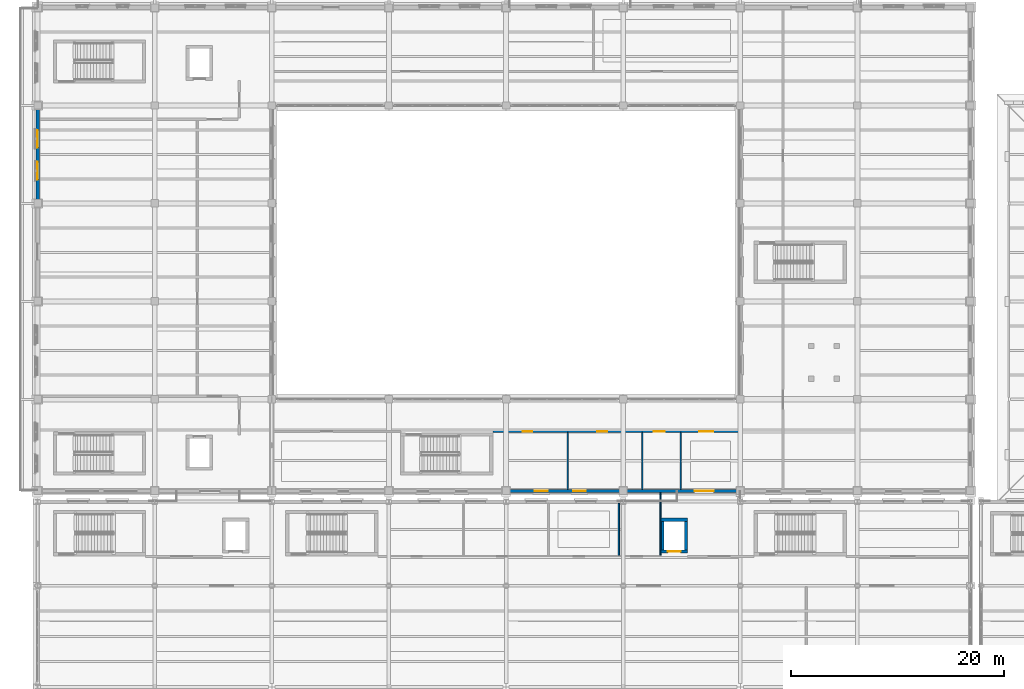
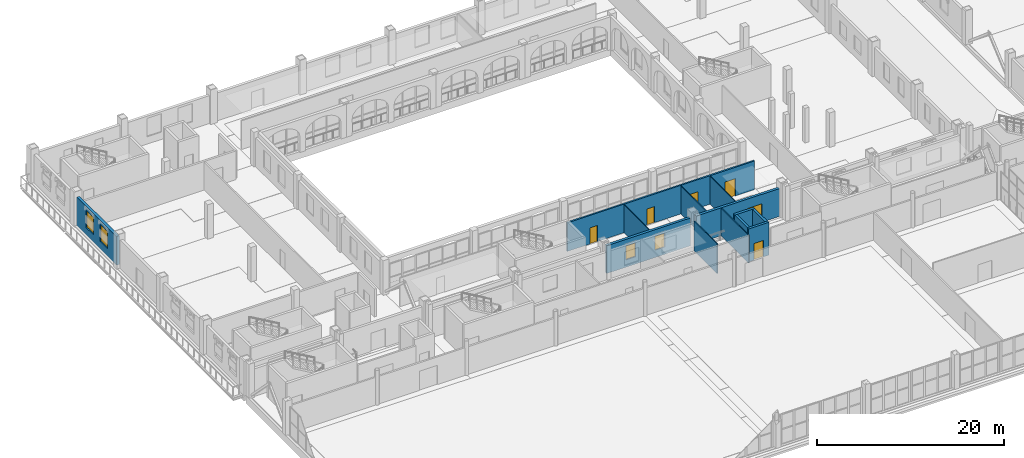
# One storey, part 123 of 156: 13 walls, 6 doors, 4 windows, 10 openings.
"""IFC4 building model written with IfcOpenShell, lengths in metres."""

from ifc_helpers import new_model, si_unit, direction, frame, frame_2d, origin, place, context, subcontext, project, spatial, rectangle, extrude, material, layer, layer_set, type_object, element, fill, save


model = new_model("IFC4")

# Units and contexts
model_context = context("Model", 3, precision=1e-05, world=origin(), true_north=direction((0.0, 1.0)))
body_context = subcontext(model_context, "Body", "Model", "MODEL_VIEW")
ifc_project = project(units=[si_unit("LENGTHUNIT", "METRE"), si_unit("AREAUNIT", "SQUARE_METRE"), si_unit("VOLUMEUNIT", "CUBIC_METRE"), si_unit("PLANEANGLEUNIT", "RADIAN"), si_unit("MASSUNIT", "GRAM", prefix="KILO")], contexts=[model_context])

# Site, building, storey
site_placement = place(None, origin())
site = spatial("IfcSite", under=ifc_project, at=site_placement, CompositionType="ELEMENT")
building_placement = place(site_placement, origin())
building = spatial("IfcBuilding", under=site, at=building_placement, Name="Caurita Quay Ferry Terminal", CompositionType="ELEMENT")
storey_placement = place(building_placement, frame((0.0, 0.0, 5.39990234375)))
storey = spatial("IfcBuildingStorey", under=building, at=storey_placement, Name="L01", CompositionType="ELEMENT", Elevation=5.39990234375)

# Wall, opening, door
ifc_material_1 = material(Name="Reinforced concrete C35/45", Category="concrete")
ifc_layer_1 = layer(ifc_material_1, 0.300048828125, Name="Interior shear wall 300 mm")
ifc_layer_set_1 = layer_set([ifc_layer_1], Name="Reinforced concrete C35/45")
wall_type_1 = type_object("IfcWallType", Name="WL-CORE-300", PredefinedType="SHEAR", material=ifc_layer_set_1)
wall_1_placement = place(storey_placement, frame((58.554931640625, 65.905029296875, 0.0), z_axis=(0.0, 0.0, 1.0), x_axis=(1.0, 0.0, 0.0)))
wall_1 = element("IfcWall", 1, at=wall_1_placement, inside=storey, type_object=wall_type_1, Name="L01 Lift LP-02 Shaft Wall South", PredefinedType="SHEAR", context=body_context, shape_type="SweptSolid", body=[
    extrude(rectangle(XDim=2.489990234375, YDim=0.300048828125, at=frame_2d((1.2451171875, 0.0))), origin(), (0.0, 0.0, 1.0), 4.280029296875),
])
opening_1_placement = place(wall_1_placement, frame((0.64501953125, 0.0, 0.0)))
opening_1 = element("IfcOpeningElement", 2, at=opening_1_placement, cuts=wall_1, Name="Opening LD-02", PredefinedType="OPENING", context=body_context, shape_type="SweptSolid", body=[
    extrude(rectangle(XDim=1.199951171875, YDim=2.14990234375, at=frame_2d((0.60009765625, 1.074951171875))), frame((0.0, 0.159912109375, 0.0), z_axis=(0.0, -1.0, 0.0), x_axis=(1.0, 0.0, 0.0)), (0.0, 0.0, 1.0), 0.320068359375),
])
ifc_material_2 = material(Name="Bronze architectural metalwork", Category="metal")
door_type_1 = type_object("IfcDoorType", Name="DR-LD-02", OperationType="DOUBLE_DOOR_SLIDING", PredefinedType="DOOR", material=ifc_material_2)
door_1_placement = place(opening_1_placement, frame((1.199951171875, 0.0, 0.0), z_axis=(0.0, 0.0, 1.0), x_axis=(-1.0, 0.0, 0.0)))
door_1 = element("IfcDoor", 3, at=door_1_placement, inside=storey, type_object=door_type_1, Name="L01 Lift LP-02 Sliding Landing Door", OperationType="DOUBLE_DOOR_SLIDING", OverallHeight=2.14990234375, OverallWidth=1.199951171875, PredefinedType="DOOR", context=body_context, shape_type="SweptSolid", body=[
    extrude(rectangle(XDim=1.199951171875, YDim=2.14990234375, at=frame_2d((0.60009765625, 1.074951171875))), frame((0.0, 0.02490234375, 0.0), z_axis=(0.0, -1.0, 0.0), x_axis=(1.0, 0.0, 0.0)), (0.0, 0.0, 1.0), 0.050048828125),
])
fill(opening_1, door_1)

# Walls
wall_2_placement = place(storey_placement, frame((61.044921875, 68.89501953125, 0.0), z_axis=(0.0, 0.0, 1.0), x_axis=(-1.0, 0.0, 0.0)))
element("IfcWall", 4, at=wall_2_placement, inside=storey, type_object=wall_type_1, Name="L01 Lift LP-02 Shaft Wall North", PredefinedType="SHEAR", context=body_context, shape_type="SweptSolid", body=[
    extrude(rectangle(XDim=2.489990234375, YDim=0.300048828125, at=frame_2d((1.2451171875, 0.0))), origin(), (0.0, 0.0, 1.0), 4.280029296875),
])
for number, where, z_axis, x_axis, name in (
    (5, (58.705078125, 68.7451171875, 0.0), (0.0, 0.0, 1.0), (0.0, -1.0, 0.0), "L01 Lift LP-02 Shaft Wall West"),
    (6, (60.89501953125, 66.054931640625, 0.0), (0.0, 0.0, 1.0), (0.0, 1.0, 0.0), "L01 Lift LP-02 Shaft Wall East"),
):
    element("IfcWall", number, at=place(storey_placement, frame(where, z_axis=z_axis, x_axis=x_axis)), inside=storey, type_object=wall_type_1, Name=name, PredefinedType="SHEAR", context=body_context, shape_type="SweptSolid", body=[
        extrude(rectangle(XDim=2.690185546875, YDim=0.300048828125, at=frame_2d((1.34521484375, 0.0))), origin(), (0.0, 0.0, 1.0), 4.280029296875),
    ])

# Wall, openings, doors
ifc_material_3 = material(Name="Warm-white lime stucco masonry", Category="masonry")
ifc_layer_2 = layer(ifc_material_3, 0.199951171875, Name="Interior partitioning wall 200 mm")
ifc_layer_set_2 = layer_set([ifc_layer_2], Name="Warm-white lime stucco masonry")
wall_type_2 = type_object("IfcWallType", Name="WL-CORR-200", PredefinedType="PARTITIONING", material=ifc_layer_set_2)
wall_3_placement = place(storey_placement, frame((42.760009765625, 77.199951171875, 0.0), z_axis=(0.0, 0.0, 1.0), x_axis=(1.0, 0.0, 0.0)))
wall_3 = element("IfcWall", 7, at=wall_3_placement, inside=storey, type_object=wall_type_2, Name="L01 Interior Partition IW-L01-070", PredefinedType="PARTITIONING", context=body_context, shape_type="SweptSolid", body=[
    extrude(rectangle(XDim=23.080078125, YDim=0.199951171875, at=frame_2d((11.5400390625, 0.0))), origin(), (0.0, 0.0, 1.0), 3.72509765625),
])
opening_2_placement = place(wall_3_placement, frame((2.800048828125, 0.0, 0.0)))
opening_2 = element("IfcOpeningElement", 8, at=opening_2_placement, cuts=wall_3, Name="Opening ID-07", PredefinedType="OPENING", context=body_context, shape_type="SweptSolid", body=[
    extrude(rectangle(XDim=0.919921875, YDim=2.10009765625, at=frame_2d((0.4599609375, 1.050048828125))), frame((0.0, 0.10986328125, 0.0), z_axis=(0.0, -1.0, 0.0), x_axis=(1.0, 0.0, 0.0)), (0.0, 0.0, 1.0), 0.219970703125),
])
opening_3_placement = place(wall_3_placement, frame((9.800048828125, 0.0, 0.0)))
opening_3 = element("IfcOpeningElement", 9, at=opening_3_placement, cuts=wall_3, Name="Opening ID-07", PredefinedType="OPENING", context=body_context, shape_type="SweptSolid", body=[
    extrude(rectangle(XDim=0.919921875, YDim=2.10009765625, at=frame_2d((0.4599609375, 1.050048828125))), frame((0.0, 0.10986328125, 0.0), z_axis=(0.0, -1.0, 0.0), x_axis=(1.0, 0.0, 0.0)), (0.0, 0.0, 1.0), 0.219970703125),
])
opening_4_placement = place(wall_3_placement, frame((15.10009765625, 0.0, 0.0)))
opening_4 = element("IfcOpeningElement", 10, at=opening_4_placement, cuts=wall_3, Name="Opening ID-08", PredefinedType="OPENING", context=body_context, shape_type="SweptSolid", body=[
    extrude(rectangle(XDim=1.02001953125, YDim=2.14990234375, at=frame_2d((0.510009765625, 1.074951171875))), frame((0.0, 0.10986328125, 0.0), z_axis=(0.0, -1.0, 0.0), x_axis=(1.0, 0.0, 0.0)), (0.0, 0.0, 1.0), 0.219970703125),
])
opening_5_placement = place(wall_3_placement, frame((19.39990234375, 0.0, 0.0)))
opening_5 = element("IfcOpeningElement", 11, at=opening_5_placement, cuts=wall_3, Name="Opening ID-12", PredefinedType="OPENING", context=body_context, shape_type="SweptSolid", body=[
    extrude(rectangle(XDim=1.300048828125, YDim=2.25, at=frame_2d((0.64990234375, 1.125))), frame((0.0, 0.10986328125, 0.0), z_axis=(0.0, -1.0, 0.0), x_axis=(1.0, 0.0, 0.0)), (0.0, 0.0, 1.0), 0.219970703125),
])
ifc_material_4 = material(Name="Tropical mahogany hardwood", Category="wood")
door_type_2 = type_object("IfcDoorType", Name="DR-AWC-1020", OperationType="NOTDEFINED", PredefinedType="DOOR", material=ifc_material_4)
door_2_placement = place(opening_4_placement, origin())
door_2 = element("IfcDoor", 12, at=door_2_placement, inside=storey, type_object=door_type_2, Name="Operations Accessible WC L01 Door", OperationType="SINGLE_SWING_LEFT", OverallHeight=2.14990234375, OverallWidth=1.02001953125, PredefinedType="DOOR", context=body_context, shape_type="SweptSolid", body=[
    extrude(rectangle(XDim=1.02001953125, YDim=2.14990234375, at=frame_2d((0.510009765625, 1.074951171875))), frame((0.0, 0.02490234375, 0.0), z_axis=(0.0, -1.0, 0.0), x_axis=(1.0, 0.0, 0.0)), (0.0, 0.0, 1.0), 0.050048828125),
])
fill(opening_4, door_2)
ifc_material_5 = material(Name="Anodized aluminium 6063-T6", Category="aluminium")
door_type_3 = type_object("IfcDoorType", Name="DR-STR-1300", OperationType="NOTDEFINED", PredefinedType="DOOR", material=ifc_material_5)
door_3_placement = place(opening_5_placement, frame((1.300048828125, 0.0, 0.0), z_axis=(0.0, 0.0, 1.0), x_axis=(-1.0, 0.0, 0.0)))
door_3 = element("IfcDoor", 13, at=door_3_placement, inside=storey, type_object=door_type_3, Name="Operations Cleaners Store L01 Door", OperationType="SINGLE_SWING_RIGHT", OverallHeight=2.25, OverallWidth=1.300048828125, PredefinedType="DOOR", context=body_context, shape_type="SweptSolid", body=[
    extrude(rectangle(XDim=1.300048828125, YDim=2.25, at=frame_2d((0.64990234375, 1.125))), frame((0.0, 0.02490234375, 0.0), z_axis=(0.0, -1.0, 0.0), x_axis=(1.0, 0.0, 0.0)), (0.0, 0.0, 1.0), 0.050048828125),
])
fill(opening_5, door_3)
door_type_4 = type_object("IfcDoorType", Name="DR-WC-0920", OperationType="NOTDEFINED", PredefinedType="DOOR", material=ifc_material_4)
door_4_placement = place(opening_2_placement, origin())
door_4 = element("IfcDoor", 14, at=door_4_placement, inside=storey, type_object=door_type_4, Name="Operations Male WC L01 Door", OperationType="SINGLE_SWING_LEFT", OverallHeight=2.10009765625, OverallWidth=0.919921875, PredefinedType="DOOR", context=body_context, shape_type="SweptSolid", body=[
    extrude(rectangle(XDim=0.919921875, YDim=2.10009765625, at=frame_2d((0.4599609375, 1.050048828125))), frame((0.0, 0.02490234375, 0.0), z_axis=(0.0, -1.0, 0.0), x_axis=(1.0, 0.0, 0.0)), (0.0, 0.0, 1.0), 0.050048828125),
])
fill(opening_2, door_4)
door_5_placement = place(opening_3_placement, frame((0.919921875, 0.0, 0.0), z_axis=(0.0, 0.0, 1.0), x_axis=(-1.0, 0.0, 0.0)))
door_5 = element("IfcDoor", 15, at=door_5_placement, inside=storey, type_object=door_type_4, Name="Operations Female WC L01 Door", OperationType="SINGLE_SWING_RIGHT", OverallHeight=2.10009765625, OverallWidth=0.919921875, PredefinedType="DOOR", context=body_context, shape_type="SweptSolid", body=[
    extrude(rectangle(XDim=0.919921875, YDim=2.10009765625, at=frame_2d((0.4599609375, 1.050048828125))), frame((0.0, 0.02490234375, 0.0), z_axis=(0.0, -1.0, 0.0), x_axis=(1.0, 0.0, 0.0)), (0.0, 0.0, 1.0), 0.050048828125),
])
fill(opening_3, door_5)

# Wall, openings, windows
ifc_layer_3 = layer(ifc_material_3, 0.31005859375, Name="Exterior solidwall wall 310 mm")
ifc_layer_set_3 = layer_set([ifc_layer_3], Name="Warm-white lime stucco masonry")
wall_type_3 = type_object("IfcWallType", Name="WL-EXT-310", PredefinedType="SOLIDWALL", material=ifc_layer_set_3)
wall_4_placement = place(storey_placement, frame((44.347900390625, 71.60009765625, 0.0), z_axis=(0.0, 0.0, 1.0), x_axis=(1.0, 0.0, 0.0)))
wall_4 = element("IfcWall", 16, at=wall_4_placement, inside=storey, type_object=wall_type_3, Name="L01 Exterior Wall EW-L01-065", PredefinedType="SOLIDWALL", context=body_context, shape_type="SweptSolid", body=[
    extrude(rectangle(XDim=10.30419921875, YDim=0.31005859375, at=frame_2d((5.152099609375, 0.0))), origin(), (0.0, 0.0, 1.0), 3.625),
])
opening_6_placement = place(wall_4_placement, frame((2.35205078125, 0.0, 0.949951171875)))
opening_6 = element("IfcOpeningElement", 17, at=opening_6_placement, cuts=wall_4, Name="Opening W-03", PredefinedType="OPENING", context=body_context, shape_type="SweptSolid", body=[
    extrude(rectangle(XDim=1.199951171875, YDim=1.800048828125, at=frame_2d((0.60009765625, 0.89990234375))), frame((0.0, 0.1650390625, 0.0), z_axis=(0.0, -1.0, 0.0), x_axis=(1.0, 0.0, 0.0)), (0.0, 0.0, 1.0), 0.330078125),
])
opening_7_placement = place(wall_4_placement, frame((5.951904296875, 0.0, 0.949951171875)))
opening_7 = element("IfcOpeningElement", 18, at=opening_7_placement, cuts=wall_4, Name="Opening W-03", PredefinedType="OPENING", context=body_context, shape_type="SweptSolid", body=[
    extrude(rectangle(XDim=1.199951171875, YDim=1.800048828125, at=frame_2d((0.60009765625, 0.89990234375))), frame((0.0, 0.1650390625, 0.0), z_axis=(0.0, -1.0, 0.0), x_axis=(1.0, 0.0, 0.0)), (0.0, 0.0, 1.0), 0.330078125),
])
ifc_material_6 = material(Name="Laminated solar-control insulated glass", Category="glass")
window_type_1 = type_object("IfcWindowType", Name="WIN-SC-1218", PartitioningType="SINGLE_PANEL", PredefinedType="WINDOW", material=ifc_material_6)
window_1_placement = place(opening_6_placement, origin())
window_1 = element("IfcWindow", 19, at=window_1_placement, inside=storey, type_object=window_type_1, Name="L01 Casement Window WN-L01-097", OverallHeight=1.800048828125, OverallWidth=1.199951171875, PartitioningType="SINGLE_PANEL", PredefinedType="WINDOW", context=body_context, shape_type="SweptSolid", body=[
    extrude(rectangle(XDim=1.199951171875, YDim=1.800048828125, at=frame_2d((0.60009765625, 0.89990234375))), frame((0.0, 0.030029296875, 0.0), z_axis=(0.0, -1.0, 0.0), x_axis=(1.0, 0.0, 0.0)), (0.0, 0.0, 1.0), 0.06005859375),
])
fill(opening_6, window_1)
window_2_placement = place(opening_7_placement, origin())
window_2 = element("IfcWindow", 20, at=window_2_placement, inside=storey, type_object=window_type_1, Name="L01 Casement Window WN-L01-098", OverallHeight=1.800048828125, OverallWidth=1.199951171875, PartitioningType="SINGLE_PANEL", PredefinedType="WINDOW", context=body_context, shape_type="SweptSolid", body=[
    extrude(rectangle(XDim=1.199951171875, YDim=1.800048828125, at=frame_2d((0.60009765625, 0.89990234375))), frame((0.0, 0.030029296875, 0.0), z_axis=(0.0, -1.0, 0.0), x_axis=(1.0, 0.0, 0.0)), (0.0, 0.0, 1.0), 0.06005859375),
])
fill(opening_7, window_2)

# Wall, opening, door
wall_5_placement = place(storey_placement, frame((55.347900390625, 71.60009765625, 0.0), z_axis=(0.0, 0.0, 1.0), x_axis=(1.0, 0.0, 0.0)))
wall_5 = element("IfcWall", 21, at=wall_5_placement, inside=storey, type_object=wall_type_3, Name="L01 Exterior Wall EW-L01-066", PredefinedType="SOLIDWALL", context=body_context, shape_type="SweptSolid", body=[
    extrude(rectangle(XDim=10.30419921875, YDim=0.31005859375, at=frame_2d((5.152099609375, 0.0))), origin(), (0.0, 0.0, 1.0), 3.625),
])
opening_8_placement = place(wall_5_placement, frame((6.35205078125, 0.0, 0.0)))
opening_8 = element("IfcOpeningElement", 22, at=opening_8_placement, cuts=wall_5, Name="Opening ED-03", PredefinedType="OPENING", context=body_context, shape_type="SweptSolid", body=[
    extrude(rectangle(XDim=1.800048828125, YDim=2.39990234375, at=frame_2d((0.89990234375, 1.199951171875))), frame((0.0, 0.1650390625, 0.0), z_axis=(0.0, -1.0, 0.0), x_axis=(1.0, 0.0, 0.0)), (0.0, 0.0, 1.0), 0.330078125),
])
door_type_5 = type_object("IfcDoorType", Name="DR-EXT-1824", OperationType="NOTDEFINED", PredefinedType="DOOR", material=ifc_material_5)
door_6_placement = place(opening_8_placement, frame((1.800048828125, 0.0, 0.0), z_axis=(0.0, 0.0, 1.0), x_axis=(-1.0, 0.0, 0.0)))
door_6 = element("IfcDoor", 23, at=door_6_placement, inside=storey, type_object=door_type_5, Name="L01 Seismic Link Door SJ4-E", OperationType="SINGLE_SWING_LEFT", OverallHeight=2.39990234375, OverallWidth=1.800048828125, PredefinedType="DOOR", context=body_context, shape_type="SweptSolid", body=[
    extrude(rectangle(XDim=1.800048828125, YDim=2.39990234375, at=frame_2d((0.89990234375, 1.199951171875))), frame((0.0, 0.02490234375, 0.0), z_axis=(0.0, -1.0, 0.0), x_axis=(1.0, 0.0, 0.0)), (0.0, 0.0, 1.0), 0.050048828125),
])
fill(opening_8, door_6)

# Wall, openings, windows
ifc_layer_4 = layer(ifc_material_3, 0.340087890625, Name="Exterior solidwall wall 340 mm")
ifc_layer_set_4 = layer_set([ifc_layer_4], Name="Warm-white lime stucco masonry")
wall_type_4 = type_object("IfcWallType", Name="WL-EXT-340", PredefinedType="SOLIDWALL", material=ifc_layer_set_4)
wall_6_placement = place(storey_placement, frame((0.0, 107.451904296875, 0.0), z_axis=(0.0, 0.0, 1.0), x_axis=(0.0, -1.0, 0.0)))
wall_6 = element("IfcWall", 24, at=wall_6_placement, inside=storey, type_object=wall_type_4, Name="L01 Exterior Wall EW-L01-040", PredefinedType="SOLIDWALL", context=body_context, shape_type="SweptSolid", body=[
    extrude(rectangle(XDim=8.50390625, YDim=0.340087890625, at=frame_2d((4.251953125, 0.0))), origin(), (0.0, 0.0, 1.0), 3.72509765625),
])
opening_9_placement = place(wall_6_placement, frame((1.951904296875, 0.0, 0.949951171875)))
opening_9 = element("IfcOpeningElement", 25, at=opening_9_placement, cuts=wall_6, Name="Opening W-08", PredefinedType="OPENING", context=body_context, shape_type="SweptSolid", body=[
    extrude(rectangle(XDim=1.64990234375, YDim=2.25, at=frame_2d((0.824951171875, 1.125))), frame((0.0, 0.179931640625, 0.0), z_axis=(0.0, -1.0, 0.0), x_axis=(1.0, 0.0, 0.0)), (0.0, 0.0, 1.0), 0.360107421875),
])
opening_10_placement = place(wall_6_placement, frame((4.951904296875, 0.0, 0.949951171875)))
opening_10 = element("IfcOpeningElement", 26, at=opening_10_placement, cuts=wall_6, Name="Opening W-08", PredefinedType="OPENING", context=body_context, shape_type="SweptSolid", body=[
    extrude(rectangle(XDim=1.64990234375, YDim=2.25, at=frame_2d((0.824951171875, 1.125))), frame((0.0, 0.179931640625, 0.0), z_axis=(0.0, -1.0, 0.0), x_axis=(1.0, 0.0, 0.0)), (0.0, 0.0, 1.0), 0.360107421875),
])
window_type_2 = type_object("IfcWindowType", Name="WIN-SC-16522", PartitioningType="SINGLE_PANEL", PredefinedType="WINDOW", material=ifc_material_6)
window_3_placement = place(opening_9_placement, origin())
window_3 = element("IfcWindow", 27, at=window_3_placement, inside=storey, type_object=window_type_2, Name="L01 Casement Window WN-L01-057", OverallHeight=2.25, OverallWidth=1.64990234375, PartitioningType="SINGLE_PANEL", PredefinedType="WINDOW", context=body_context, shape_type="SweptSolid", body=[
    extrude(rectangle(XDim=1.64990234375, YDim=2.25, at=frame_2d((0.824951171875, 1.125))), frame((0.0, 0.030029296875, 0.0), z_axis=(0.0, -1.0, 0.0), x_axis=(1.0, 0.0, 0.0)), (0.0, 0.0, 1.0), 0.06005859375),
])
fill(opening_9, window_3)
window_4_placement = place(opening_10_placement, origin())
window_4 = element("IfcWindow", 28, at=window_4_placement, inside=storey, type_object=window_type_2, Name="L01 Casement Window WN-L01-058", OverallHeight=2.25, OverallWidth=1.64990234375, PartitioningType="SINGLE_PANEL", PredefinedType="WINDOW", context=body_context, shape_type="SweptSolid", body=[
    extrude(rectangle(XDim=1.64990234375, YDim=2.25, at=frame_2d((0.824951171875, 1.125))), frame((0.0, 0.030029296875, 0.0), z_axis=(0.0, -1.0, 0.0), x_axis=(1.0, 0.0, 0.0)), (0.0, 0.0, 1.0), 0.06005859375),
])
fill(opening_10, window_4)

# Walls
ifc_material_7 = material(Name="Gypsum board partition", Category="masonry")
ifc_layer_5 = layer(ifc_material_7, 0.114990234375, Name="Interior partitioning wall 115 mm")
ifc_layer_set_5 = layer_set([ifc_layer_5], Name="Gypsum board partition")
wall_type_5 = type_object("IfcWallType", Name="WL-PART-115", PredefinedType="PARTITIONING", material=ifc_layer_set_5)
for number, where, z_axis, x_axis, name in (
    (29, (49.800048828125, 71.760009765625, 0.0), (0.0, 0.0, 1.0), (0.0, 1.0, 0.0), "L01 Interior Partition IW-L01-071"),
    (30, (56.800048828125, 71.760009765625, 0.0), (0.0, 0.0, 1.0), (0.0, 1.0, 0.0), "L01 Interior Partition IW-L01-072"),
    (31, (60.39990234375, 71.760009765625, 0.0), (0.0, 0.0, 1.0), (0.0, 1.0, 0.0), "L01 Interior Partition IW-L01-073"),
):
    element("IfcWall", number, at=place(storey_placement, frame(where, z_axis=z_axis, x_axis=x_axis)), inside=storey, type_object=wall_type_5, Name=name, PredefinedType="PARTITIONING", context=body_context, shape_type="SweptSolid", body=[
        extrude(rectangle(XDim=5.3349609375, YDim=0.114990234375, at=frame_2d((2.66748046875, 0.0))), origin(), (0.0, 0.0, 1.0), 3.625),
    ])
ifc_layer_6 = layer(ifc_material_7, 0.1298828125, Name="Interior partitioning wall 130 mm")
ifc_layer_set_6 = layer_set([ifc_layer_6], Name="Gypsum board partition")
wall_type_6 = type_object("IfcWallType", Name="WL-PART-130", PredefinedType="PARTITIONING", material=ifc_layer_set_6)
wall_7_placement = place(storey_placement, frame((54.60009765625, 65.554931640625, 0.0), z_axis=(0.0, 0.0, 1.0), x_axis=(0.0, 1.0, 0.0)))
element("IfcWall", 32, at=wall_7_placement, inside=storey, type_object=wall_type_6, Name="L01 Interior Partition IW-L01-044", PredefinedType="PARTITIONING", context=body_context, shape_type="SweptSolid", body=[
    extrude(rectangle(XDim=4.885009765625, YDim=0.1298828125, at=frame_2d((2.4423828125, 0.0))), origin(), (0.0, 0.0, 1.0), 3.87109375),
])
wall_8_placement = place(storey_placement, frame((58.5, 65.554931640625, 0.0), z_axis=(0.0, 0.0, 1.0), x_axis=(0.0, 1.0, 0.0)))
element("IfcWall", 33, at=wall_8_placement, inside=storey, type_object=wall_type_6, Name="L01 Interior Partition IW-L01-045", PredefinedType="PARTITIONING", context=body_context, shape_type="SweptSolid", body=[
    extrude(rectangle(XDim=5.885009765625, YDim=0.1298828125, at=frame_2d((2.9423828125, 0.0))), origin(), (0.0, 0.0, 1.0), 3.592041015625),
])

save(model, "model.ifc")
